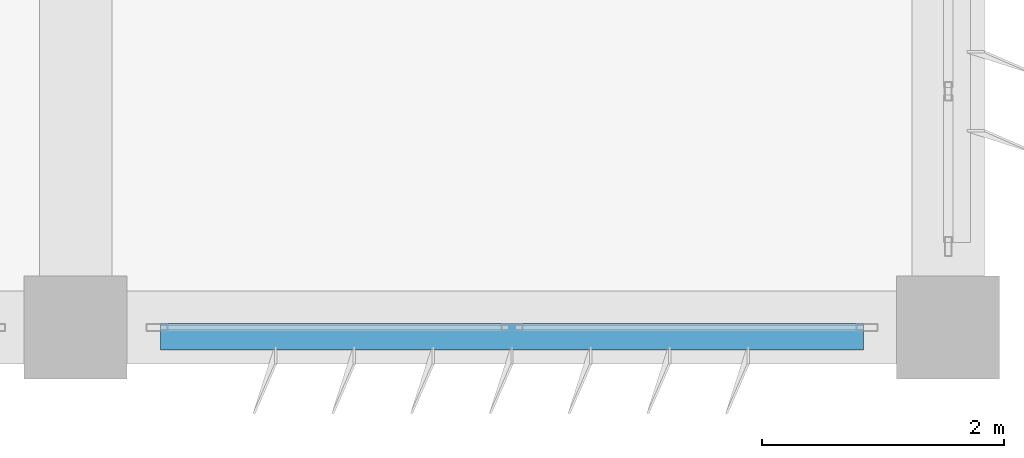
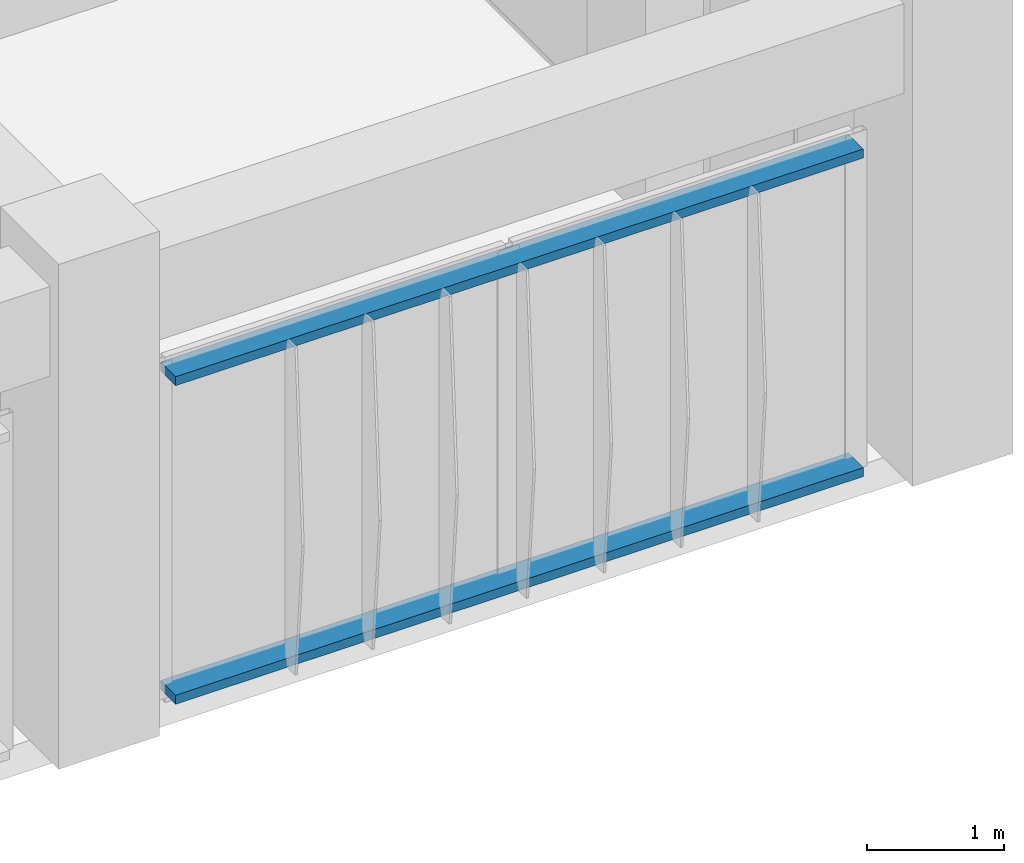
# One storey, part 36 of 48: 2 discrete accessories.
"""IFC4 building model written with IfcOpenShell, lengths in metres."""

from ifc_helpers import new_model, si_unit, direction, frame, origin, origin_2d, place, context, subcontext, project, spatial, rectangle, extrude, material, type_object, element, save


model = new_model("IFC4")

# Units and contexts
model_context = context("Model", 3, precision=1e-05, world=origin(), true_north=direction((0.0, 1.0)))
body_context = subcontext(model_context, "Body", "Model", "MODEL_VIEW")
ifc_project = project(units=[si_unit("LENGTHUNIT", "METRE"), si_unit("AREAUNIT", "SQUARE_METRE"), si_unit("VOLUMEUNIT", "CUBIC_METRE"), si_unit("PLANEANGLEUNIT", "RADIAN"), si_unit("MASSUNIT", "GRAM", prefix="KILO")], contexts=[model_context])

# Site, building, storey
site_placement = place(None, origin())
site = spatial("IfcSite", under=ifc_project, at=site_placement, CompositionType="ELEMENT")
building_placement = place(site_placement, origin())
building = spatial("IfcBuilding", under=site, at=building_placement, Name="Kazehaya Institute of Natural Sciences", CompositionType="ELEMENT")
storey_placement = place(building_placement, frame((0.0, 0.0, 19.800048828125)))
storey = spatial("IfcBuildingStorey", under=building, at=storey_placement, Name="L04", CompositionType="ELEMENT", Elevation=19.800048828125)

# Discrete accessories
ifc_material = material(Name="Aluminium alloy A6063S-T5", Category="aluminium")
discrete_accessory_type = type_object("IfcDiscreteAccessoryType", Name="ACC-BRK-01", PredefinedType="BRACKET", material=ifc_material)
for number, where, z_axis, x_axis, name in (
    (1, (115.800048828125, 10.02490234375, 0.039794921875), (0.0, 0.0, 1.0), (-1.0, 0.0, 0.0), "L04 fin support outrigger rail 1"),
    (2, (115.800048828125, 10.02490234375, 2.8798828125), (0.0, 0.0, 1.0), (-1.0, 0.0, 0.0), "L04 fin support outrigger rail 2"),
):
    element("IfcDiscreteAccessory", number, at=place(storey_placement, frame(where, z_axis=z_axis, x_axis=x_axis)), inside=storey, type_object=discrete_accessory_type, Name=name, PredefinedType="BRACKET", context=body_context, shape_type="SweptSolid", body=[
        extrude(rectangle(XDim=5.800048828125, YDim=0.219970703125, at=origin_2d()), origin(), (0.0, 0.0, 1.0), 0.080078125),
    ])

save(model, "model.ifc")
